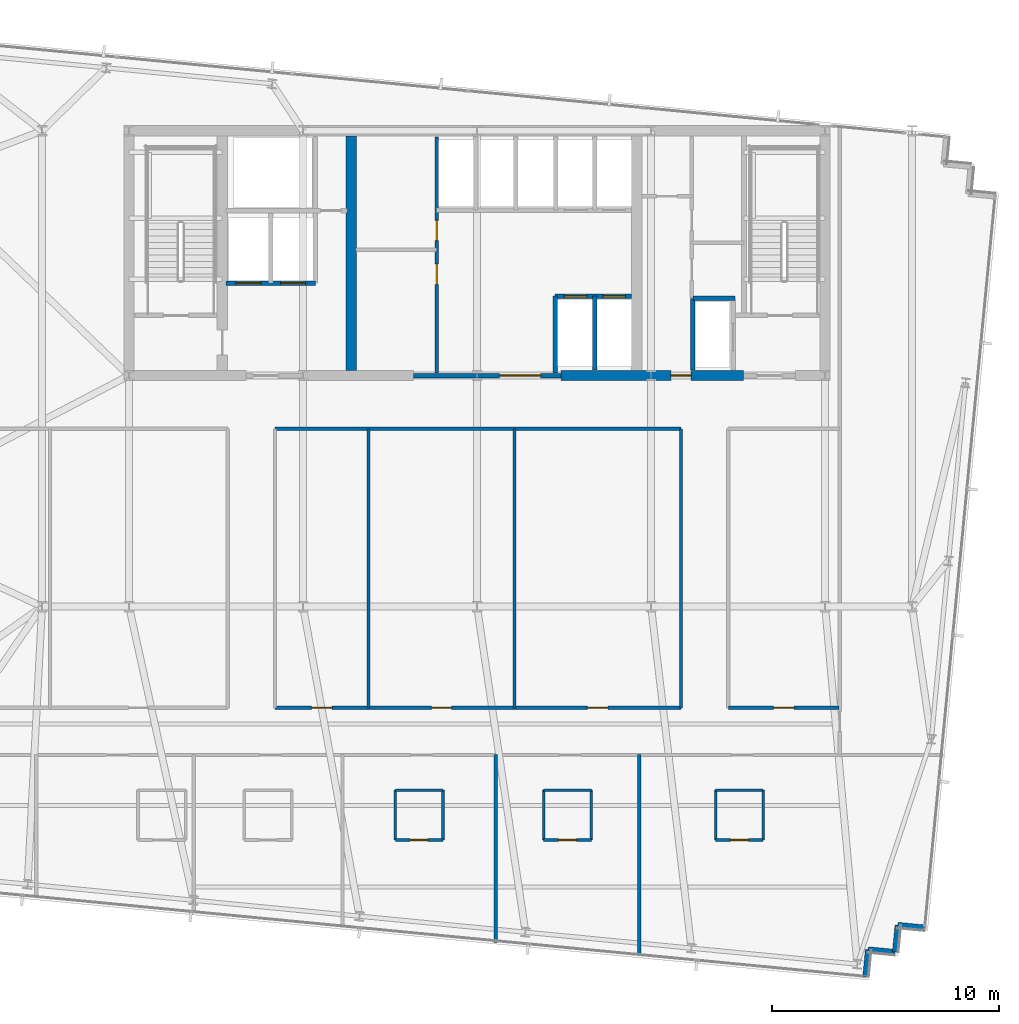
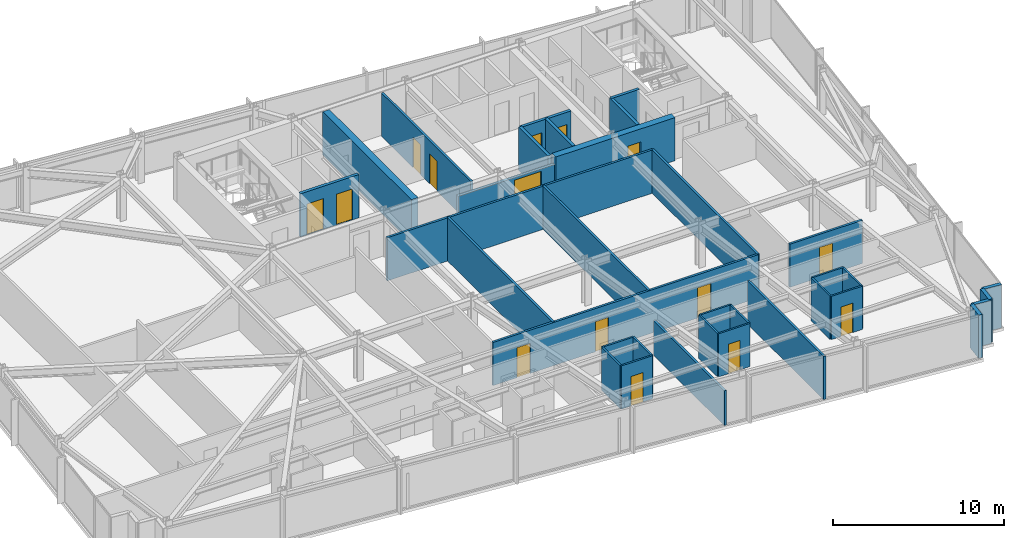
# One storey, part 30 of 36: 34 walls, 15 doors, 15 openings.
"""IFC4 building model written with IfcOpenShell, lengths in metres."""

from ifc_helpers import new_model, si_unit, direction, frame, frame_2d, origin, place, context, subcontext, project, spatial, rectangle, extrude, material, layer, layer_set, type_object, element, fill, save


model = new_model("IFC4")

# Units and contexts
model_context = context("Model", 3, precision=1e-05, world=origin(), true_north=direction((0.0, 1.0)))
body_context = subcontext(model_context, "Body", "Model", "MODEL_VIEW")
ifc_project = project(units=[si_unit("LENGTHUNIT", "METRE"), si_unit("AREAUNIT", "SQUARE_METRE"), si_unit("VOLUMEUNIT", "CUBIC_METRE"), si_unit("PLANEANGLEUNIT", "RADIAN"), si_unit("MASSUNIT", "GRAM", prefix="KILO")], contexts=[model_context])

# Site, building, storey
site_placement = place(None, origin())
site = spatial("IfcSite", under=ifc_project, at=site_placement, CompositionType="ELEMENT")
building_placement = place(site_placement, origin())
building = spatial("IfcBuilding", under=site, at=building_placement, Name="Yelkora Congress Tower", CompositionType="ELEMENT")
storey_placement = place(building_placement, frame((0.0, 0.0, 152.300048828125)))
storey = spatial("IfcBuildingStorey", under=building, at=storey_placement, Name="L41", CompositionType="ELEMENT", Elevation=152.300048828125)

# Wall, opening, door
ifc_material_1 = material(Name="Concrete C60/75", Category="concrete")
ifc_layer_1 = layer(ifc_material_1, 0.449951171875)
ifc_layer_set_1 = layer_set([ifc_layer_1], Name="Concrete C60/75")
wall_type_1 = type_object("IfcWallType", Name="WALL-CORE-INT-450", PredefinedType="SHEAR", material=ifc_layer_set_1)
wall_1_placement = place(storey_placement, frame((42.10009765625, 35.39990234375, 0.0), z_axis=(0.0, 0.0, 1.0), x_axis=(1.0, 0.0, 0.0)))
wall_1 = element("IfcWall", 1, at=wall_1_placement, inside=storey, type_object=wall_type_1, Name="L41 Rear Core South-East Shear Wall A", PredefinedType="SHEAR", context=body_context, shape_type="SweptSolid", body=[
    extrude(rectangle(XDim=8.0498046875, YDim=0.449951171875, at=frame_2d((4.02490234375, 0.0))), origin(), (0.0, 0.0, 1.0), 3.079833984375),
])
opening_1_placement = place(wall_1_placement, frame((4.85009765625, 0.0, 0.0)))
opening_1 = element("IfcOpeningElement", 2, at=opening_1_placement, cuts=wall_1, Name="Opening DR-090F6", PredefinedType="OPENING", context=body_context, shape_type="SweptSolid", body=[
    extrude(rectangle(XDim=0.89990234375, YDim=2.14990234375, at=frame_2d((0.449951171875, 1.074951171875))), frame((0.0, 0.23486328125, 0.0), z_axis=(0.0, -1.0, 0.0), x_axis=(1.0, 0.0, 0.0)), (0.0, 0.0, 1.0), 0.469970703125),
])
ifc_material_2 = material(Name="Painted steel riser fire door leaf", Category="steel")
door_type_1 = type_object("IfcDoorType", Name="DOOR-FD60-900", OperationType="NOTDEFINED", PredefinedType="DOOR", material=ifc_material_2)
door_1_placement = place(opening_1_placement, origin())
door_1 = element("IfcDoor", 3, at=door_1_placement, inside=storey, type_object=door_type_1, Name="L41 Core Washroom Lobby Door", OperationType="SINGLE_SWING_RIGHT", OverallHeight=2.14990234375, OverallWidth=0.89990234375, PredefinedType="DOOR", context=body_context, shape_type="SweptSolid", body=[
    extrude(rectangle(XDim=0.89990234375, YDim=2.14990234375, at=frame_2d((0.449951171875, 1.074951171875))), frame((0.0, 0.02490234375, 0.0), z_axis=(0.0, -1.0, 0.0), x_axis=(1.0, 0.0, 0.0)), (0.0, 0.0, 1.0), 0.050048828125),
])
fill(opening_1, door_1)

# Walls
wall_2_placement = place(storey_placement, frame((32.85009765625, 35.625, 0.0), z_axis=(0.0, 0.0, 1.0), x_axis=(0.0, 1.0, 0.0)))
element("IfcWall", 4, at=wall_2_placement, inside=storey, type_object=wall_type_1, Name="L41 Rear Core Cross Shear Wall C2", PredefinedType="SHEAR", context=body_context, shape_type="SweptSolid", body=[
    extrude(rectangle(XDim=10.35009765625, YDim=0.449951171875, at=frame_2d((5.175048828125, 0.0))), origin(), (0.0, 0.0, 1.0), 3.079833984375),
])
ifc_material_3 = material(Name="Concrete C40/50", Category="concrete")
ifc_layer_2 = layer(ifc_material_3, 0.239990234375)
ifc_layer_set_2 = layer_set([ifc_layer_2], Name="Concrete C40/50")
wall_type_2 = type_object("IfcWallType", Name="WALL-EXT-LIMESTONE-240", PredefinedType="SOLIDWALL", material=ifc_layer_set_2)
wall_3_placement = place(storey_placement, frame((58.160400390625, 11.033203125, 0.0), z_axis=(0.0, 0.0, 1.0), x_axis=(-0.995398960025, 0.095817067274, 0.0)))
element("IfcWall", 5, at=wall_3_placement, inside=storey, type_object=wall_type_2, Name="L41 Serrated Corner Limestone Pier 16", PredefinedType="SOLIDWALL", context=body_context, shape_type="SweptSolid", body=[
    extrude(rectangle(XDim=1.2001953125, YDim=0.239990234375, at=frame_2d((0.60009765625, 0.0))), origin(), (0.0, 0.0, 1.0), 3.079833984375),
])
for number, where, z_axis, x_axis, name in (
    (6, (56.9658203125, 11.148193359375, 0.0), (0.0, 0.0, 1.0), (-0.095836473879, -0.995397091755, 0.0), "L41 Serrated Corner Limestone Pier 17"),
    (7, (56.850830078125, 9.953857421875, 0.0), (0.0, 0.0, 1.0), (-0.995397091755, 0.095836473879, 0.0), "L41 Serrated Corner Limestone Pier 18"),
):
    element("IfcWall", number, at=place(storey_placement, frame(where, z_axis=z_axis, x_axis=x_axis)), inside=storey, type_object=wall_type_2, Name=name, PredefinedType="SOLIDWALL", context=body_context, shape_type="SweptSolid", body=[
        extrude(rectangle(XDim=1.199951171875, YDim=0.239990234375, at=frame_2d((0.60009765625, 0.0))), origin(), (0.0, 0.0, 1.0), 3.079833984375),
    ])
wall_4_placement = place(storey_placement, frame((55.656494140625, 10.06884765625, 0.0), z_axis=(0.0, 0.0, 1.0), x_axis=(-0.095817067274, -0.995398960025, 0.0)))
element("IfcWall", 8, at=wall_4_placement, inside=storey, type_object=wall_type_2, Name="L41 Serrated Corner Limestone Pier 19", PredefinedType="SOLIDWALL", context=body_context, shape_type="SweptSolid", body=[
    extrude(rectangle(XDim=1.2001953125, YDim=0.239990234375, at=frame_2d((0.60009765625, 0.0))), origin(), (0.0, 0.0, 1.0), 3.079833984375),
])
ifc_material_4 = material(Name="Moisture-resistant gypsum partition", Category="gypsum")
ifc_layer_3 = layer(ifc_material_4, 0.1201171875)
ifc_layer_set_3 = layer_set([ifc_layer_3], Name="Moisture-resistant gypsum partition")
wall_type_3 = type_object("IfcWallType", Name="WALL-INT-120-NR", PredefinedType="PARTITIONING", material=ifc_layer_set_3)
wall_5_placement = place(storey_placement, frame((34.7919921875, 17.10009765625, 0.0), z_axis=(0.0, 0.0, 1.0), x_axis=(1.0, 0.0, 0.0)))
element("IfcWall", 9, at=wall_5_placement, inside=storey, type_object=wall_type_3, Name="L41 Partition Wall 41", PredefinedType="PARTITIONING", context=body_context, shape_type="SweptSolid", body=[
    extrude(rectangle(XDim=2.10009765625, YDim=0.1201171875, at=frame_2d((1.050048828125, 0.0))), origin(), (0.0, 0.0, 1.0), 3.079833984375),
])
for number, where, z_axis, x_axis, name in (
    (10, (34.7919921875, 14.89990234375, 0.0), (0.0, 0.0, 1.0), (0.0, 1.0, 0.0), "L41 Partition Wall 42"),
    (11, (36.89208984375, 14.89990234375, 0.0), (0.0, 0.0, 1.0), (0.0, 1.0, 0.0), "L41 Partition Wall 43"),
):
    element("IfcWall", number, at=place(storey_placement, frame(where, z_axis=z_axis, x_axis=x_axis)), inside=storey, type_object=wall_type_3, Name=name, PredefinedType="PARTITIONING", context=body_context, shape_type="SweptSolid", body=[
        extrude(rectangle(XDim=2.2001953125, YDim=0.1201171875, at=frame_2d((1.10009765625, 0.0))), origin(), (0.0, 0.0, 1.0), 3.079833984375),
    ])

# Wall, opening, door
wall_6_placement = place(storey_placement, frame((34.7919921875, 14.89990234375, 0.0), z_axis=(0.0, 0.0, 1.0), x_axis=(1.0, 0.0, 0.0)))
wall_6 = element("IfcWall", 12, at=wall_6_placement, inside=storey, type_object=wall_type_3, Name="L41 Partition Wall 44", PredefinedType="PARTITIONING", context=body_context, shape_type="SweptSolid", body=[
    extrude(rectangle(XDim=2.10009765625, YDim=0.1201171875, at=frame_2d((1.050048828125, 0.0))), origin(), (0.0, 0.0, 1.0), 3.079833984375),
])
opening_2_placement = place(wall_6_placement, frame((0.64990234375, 0.0, 0.0)))
opening_2 = element("IfcOpeningElement", 13, at=opening_2_placement, cuts=wall_6, Name="Opening DR-080B", PredefinedType="OPENING", context=body_context, shape_type="SweptSolid", body=[
    extrude(rectangle(XDim=0.800048828125, YDim=2.10009765625, at=frame_2d((0.39990234375, 1.050048828125))), frame((0.0, 0.070068359375, 0.0), z_axis=(0.0, -1.0, 0.0), x_axis=(1.0, 0.0, 0.0)), (0.0, 0.0, 1.0), 0.14013671875),
])
ifc_material_5 = material(Name="Moisture-sealed en-suite timber door", Category="wood")
door_type_2 = type_object("IfcDoorType", Name="DOOR-BATH-800", OperationType="NOTDEFINED", PredefinedType="DOOR", material=ifc_material_5)
door_2_placement = place(opening_2_placement, origin())
door_2 = element("IfcDoor", 14, at=door_2_placement, inside=storey, type_object=door_type_2, Name="L41 En-suite Door 4", OperationType="SINGLE_SWING_RIGHT", OverallHeight=2.10009765625, OverallWidth=0.800048828125, PredefinedType="DOOR", context=body_context, shape_type="SweptSolid", body=[
    extrude(rectangle(XDim=0.800048828125, YDim=2.10009765625, at=frame_2d((0.39990234375, 1.050048828125))), frame((0.0, 0.02490234375, 0.0), z_axis=(0.0, -1.0, 0.0), x_axis=(1.0, 0.0, 0.0)), (0.0, 0.0, 1.0), 0.050048828125),
])
fill(opening_2, door_2)

# Walls
wall_7_placement = place(storey_placement, frame((41.341064453125, 17.10009765625, 0.0), z_axis=(0.0, 0.0, 1.0), x_axis=(1.0, 0.0, 0.0)))
element("IfcWall", 15, at=wall_7_placement, inside=storey, type_object=wall_type_3, Name="L41 Partition Wall 46", PredefinedType="PARTITIONING", context=body_context, shape_type="SweptSolid", body=[
    extrude(rectangle(XDim=2.099853515625, YDim=0.1201171875, at=frame_2d((1.0498046875, 0.0))), origin(), (0.0, 0.0, 1.0), 3.079833984375),
])
for number, where, z_axis, x_axis, name in (
    (16, (41.341064453125, 14.89990234375, 0.0), (0.0, 0.0, 1.0), (0.0, 1.0, 0.0), "L41 Partition Wall 47"),
    (17, (43.44091796875, 14.89990234375, 0.0), (0.0, 0.0, 1.0), (0.0, 1.0, 0.0), "L41 Partition Wall 48"),
):
    element("IfcWall", number, at=place(storey_placement, frame(where, z_axis=z_axis, x_axis=x_axis)), inside=storey, type_object=wall_type_3, Name=name, PredefinedType="PARTITIONING", context=body_context, shape_type="SweptSolid", body=[
        extrude(rectangle(XDim=2.2001953125, YDim=0.1201171875, at=frame_2d((1.10009765625, 0.0))), origin(), (0.0, 0.0, 1.0), 3.079833984375),
    ])

# Wall, opening, door
wall_8_placement = place(storey_placement, frame((41.341064453125, 14.89990234375, 0.0), z_axis=(0.0, 0.0, 1.0), x_axis=(1.0, 0.0, 0.0)))
wall_8 = element("IfcWall", 18, at=wall_8_placement, inside=storey, type_object=wall_type_3, Name="L41 Partition Wall 49", PredefinedType="PARTITIONING", context=body_context, shape_type="SweptSolid", body=[
    extrude(rectangle(XDim=2.099853515625, YDim=0.1201171875, at=frame_2d((1.0498046875, 0.0))), origin(), (0.0, 0.0, 1.0), 3.079833984375),
])
opening_3_placement = place(wall_8_placement, frame((0.64990234375, 0.0, 0.0)))
opening_3 = element("IfcOpeningElement", 19, at=opening_3_placement, cuts=wall_8, Name="Opening DR-080B", PredefinedType="OPENING", context=body_context, shape_type="SweptSolid", body=[
    extrude(rectangle(XDim=0.800048828125, YDim=2.10009765625, at=frame_2d((0.39990234375, 1.050048828125))), frame((0.0, 0.070068359375, 0.0), z_axis=(0.0, -1.0, 0.0), x_axis=(1.0, 0.0, 0.0)), (0.0, 0.0, 1.0), 0.14013671875),
])
door_3_placement = place(opening_3_placement, origin())
door_3 = element("IfcDoor", 20, at=door_3_placement, inside=storey, type_object=door_type_2, Name="L41 En-suite Door 5", OperationType="SINGLE_SWING_LEFT", OverallHeight=2.10009765625, OverallWidth=0.800048828125, PredefinedType="DOOR", context=body_context, shape_type="SweptSolid", body=[
    extrude(rectangle(XDim=0.800048828125, YDim=2.10009765625, at=frame_2d((0.39990234375, 1.050048828125))), frame((0.0, 0.02490234375, 0.0), z_axis=(0.0, -1.0, 0.0), x_axis=(1.0, 0.0, 0.0)), (0.0, 0.0, 1.0), 0.050048828125),
])
fill(opening_3, door_3)

# Walls
wall_9_placement = place(storey_placement, frame((48.929931640625, 17.10009765625, 0.0), z_axis=(0.0, 0.0, 1.0), x_axis=(1.0, 0.0, 0.0)))
element("IfcWall", 21, at=wall_9_placement, inside=storey, type_object=wall_type_3, Name="L41 Partition Wall 51", PredefinedType="PARTITIONING", context=body_context, shape_type="SweptSolid", body=[
    extrude(rectangle(XDim=2.10009765625, YDim=0.1201171875, at=frame_2d((1.050048828125, 0.0))), origin(), (0.0, 0.0, 1.0), 3.079833984375),
])
for number, where, z_axis, x_axis, name in (
    (22, (48.929931640625, 14.89990234375, 0.0), (0.0, 0.0, 1.0), (0.0, 1.0, 0.0), "L41 Partition Wall 52"),
    (23, (51.030029296875, 14.89990234375, 0.0), (0.0, 0.0, 1.0), (0.0, 1.0, 0.0), "L41 Partition Wall 53"),
):
    element("IfcWall", number, at=place(storey_placement, frame(where, z_axis=z_axis, x_axis=x_axis)), inside=storey, type_object=wall_type_3, Name=name, PredefinedType="PARTITIONING", context=body_context, shape_type="SweptSolid", body=[
        extrude(rectangle(XDim=2.2001953125, YDim=0.1201171875, at=frame_2d((1.10009765625, 0.0))), origin(), (0.0, 0.0, 1.0), 3.079833984375),
    ])

# Wall, opening, door
wall_10_placement = place(storey_placement, frame((48.929931640625, 14.89990234375, 0.0), z_axis=(0.0, 0.0, 1.0), x_axis=(1.0, 0.0, 0.0)))
wall_10 = element("IfcWall", 24, at=wall_10_placement, inside=storey, type_object=wall_type_3, Name="L41 Partition Wall 54", PredefinedType="PARTITIONING", context=body_context, shape_type="SweptSolid", body=[
    extrude(rectangle(XDim=2.10009765625, YDim=0.1201171875, at=frame_2d((1.050048828125, 0.0))), origin(), (0.0, 0.0, 1.0), 3.079833984375),
])
opening_4_placement = place(wall_10_placement, frame((0.64990234375, 0.0, 0.0)))
opening_4 = element("IfcOpeningElement", 25, at=opening_4_placement, cuts=wall_10, Name="Opening DR-080B", PredefinedType="OPENING", context=body_context, shape_type="SweptSolid", body=[
    extrude(rectangle(XDim=0.800048828125, YDim=2.10009765625, at=frame_2d((0.39990234375, 1.050048828125))), frame((0.0, 0.070068359375, 0.0), z_axis=(0.0, -1.0, 0.0), x_axis=(1.0, 0.0, 0.0)), (0.0, 0.0, 1.0), 0.14013671875),
])
door_4_placement = place(opening_4_placement, origin())
door_4 = element("IfcDoor", 26, at=door_4_placement, inside=storey, type_object=door_type_2, Name="L41 En-suite Door 6", OperationType="SINGLE_SWING_RIGHT", OverallHeight=2.10009765625, OverallWidth=0.800048828125, PredefinedType="DOOR", context=body_context, shape_type="SweptSolid", body=[
    extrude(rectangle(XDim=0.800048828125, YDim=2.10009765625, at=frame_2d((0.39990234375, 1.050048828125))), frame((0.0, 0.02490234375, 0.0), z_axis=(0.0, -1.0, 0.0), x_axis=(1.0, 0.0, 0.0)), (0.0, 0.0, 1.0), 0.050048828125),
])
fill(opening_4, door_4)

# Walls
ifc_material_6 = material(Name="Acoustic metal-stud gypsum partition", Category="gypsum")
ifc_layer_4 = layer(ifc_material_6, 0.14990234375)
ifc_layer_set_4 = layer_set([ifc_layer_4], Name="Acoustic metal-stud gypsum partition")
wall_type_4 = type_object("IfcWallType", Name="WALL-INT-150-NR", PredefinedType="PARTITIONING", material=ifc_layer_set_4)
wall_11_placement = place(storey_placement, frame((47.39990234375, 20.72998046875, 0.0), z_axis=(0.0, 0.0, 1.0), x_axis=(0.0, 1.0, 0.0)))
element("IfcWall", 27, at=wall_11_placement, inside=storey, type_object=wall_type_4, Name="L41 Partition Wall 61", PredefinedType="PARTITIONING", context=body_context, shape_type="SweptSolid", body=[
    extrude(rectangle(XDim=12.320068359375, YDim=0.14990234375, at=frame_2d((6.16015625, 0.0))), origin(), (0.0, 0.0, 1.0), 3.079833984375),
])
wall_12_placement = place(storey_placement, frame((29.47998046875, 33.050048828125, 0.0), z_axis=(0.0, 0.0, 1.0), x_axis=(1.0, 0.0, 0.0)))
element("IfcWall", 28, at=wall_12_placement, inside=storey, type_object=wall_type_4, Name="L41 Partition Wall 64", PredefinedType="PARTITIONING", context=body_context, shape_type="SweptSolid", body=[
    extrude(rectangle(XDim=17.919921875, YDim=0.14990234375, at=frame_2d((8.9599609375, 0.0))), origin(), (0.0, 0.0, 1.0), 3.079833984375),
])
for number, where, z_axis, x_axis, name in (
    (29, (33.60693359375, 20.72998046875, 0.0), (0.0, 0.0, 1.0), (0.0, 1.0, 0.0), "L41 Partition Wall 69"),
    (30, (40.051025390625, 20.72998046875, 0.0), (0.0, 0.0, 1.0), (0.0, 1.0, 0.0), "L41 Partition Wall 70"),
):
    element("IfcWall", number, at=place(storey_placement, frame(where, z_axis=z_axis, x_axis=x_axis)), inside=storey, type_object=wall_type_4, Name=name, PredefinedType="PARTITIONING", context=body_context, shape_type="SweptSolid", body=[
        extrude(rectangle(XDim=12.320068359375, YDim=0.14990234375, at=frame_2d((6.16015625, 0.0))), origin(), (0.0, 0.0, 1.0), 3.079833984375),
    ])

# Wall, openings, doors
wall_13_placement = place(storey_placement, frame((29.489990234375, 20.72998046875, 0.0), z_axis=(0.0, 0.0, 1.0), x_axis=(1.0, 0.0, 0.0)))
wall_13 = element("IfcWall", 31, at=wall_13_placement, inside=storey, type_object=wall_type_4, Name="L41 Partition Wall 71", PredefinedType="PARTITIONING", context=body_context, shape_type="SweptSolid", body=[
    extrude(rectangle(XDim=17.89990234375, YDim=0.14990234375, at=frame_2d((8.949951171875, 0.0))), origin(), (0.0, 0.0, 1.0), 3.079833984375),
])
opening_5_placement = place(wall_13_placement, frame((1.6083984375, 0.0, 0.0)))
opening_5 = element("IfcOpeningElement", 32, at=opening_5_placement, cuts=wall_13, Name="Opening DR-090N", PredefinedType="OPENING", context=body_context, shape_type="SweptSolid", body=[
    extrude(rectangle(XDim=0.89990234375, YDim=2.14990234375, at=frame_2d((0.449951171875, 1.074951171875))), frame((0.0, 0.0849609375, 0.0), z_axis=(0.0, -1.0, 0.0), x_axis=(1.0, 0.0, 0.0)), (0.0, 0.0, 1.0), 0.169921875),
])
opening_6_placement = place(wall_13_placement, frame((6.888916015625, 0.0, 0.0)))
opening_6 = element("IfcOpeningElement", 33, at=opening_6_placement, cuts=wall_13, Name="Opening DR-090N", PredefinedType="OPENING", context=body_context, shape_type="SweptSolid", body=[
    extrude(rectangle(XDim=0.89990234375, YDim=2.14990234375, at=frame_2d((0.449951171875, 1.074951171875))), frame((0.0, 0.0849609375, 0.0), z_axis=(0.0, -1.0, 0.0), x_axis=(1.0, 0.0, 0.0)), (0.0, 0.0, 1.0), 0.169921875),
])
opening_7_placement = place(wall_13_placement, frame((13.780517578125, 0.0, 0.0)))
opening_7 = element("IfcOpeningElement", 34, at=opening_7_placement, cuts=wall_13, Name="Opening DR-090N", PredefinedType="OPENING", context=body_context, shape_type="SweptSolid", body=[
    extrude(rectangle(XDim=0.89990234375, YDim=2.14990234375, at=frame_2d((0.449951171875, 1.074951171875))), frame((0.0, 0.0849609375, 0.0), z_axis=(0.0, -1.0, 0.0), x_axis=(1.0, 0.0, 0.0)), (0.0, 0.0, 1.0), 0.169921875),
])
ifc_material_7 = material(Name="Moisture-resistant laminate door leaf", Category="wood")
door_type_3 = type_object("IfcDoorType", Name="DOOR-INT-900", OperationType="NOTDEFINED", PredefinedType="DOOR", material=ifc_material_7)
door_5_placement = place(opening_5_placement, origin())
door_5 = element("IfcDoor", 35, at=door_5_placement, inside=storey, type_object=door_type_3, Name="L41 Business Concierge Office Door", OperationType="SINGLE_SWING_RIGHT", OverallHeight=2.14990234375, OverallWidth=0.89990234375, PredefinedType="DOOR", context=body_context, shape_type="SweptSolid", body=[
    extrude(rectangle(XDim=0.89990234375, YDim=2.14990234375, at=frame_2d((0.449951171875, 1.074951171875))), frame((0.0, 0.02490234375, 0.0), z_axis=(0.0, -1.0, 0.0), x_axis=(1.0, 0.0, 0.0)), (0.0, 0.0, 1.0), 0.050048828125),
])
fill(opening_5, door_5)
door_6_placement = place(opening_6_placement, origin())
door_6 = element("IfcDoor", 36, at=door_6_placement, inside=storey, type_object=door_type_3, Name="L41 Refreshment Galley Door", OperationType="SINGLE_SWING_LEFT", OverallHeight=2.14990234375, OverallWidth=0.89990234375, PredefinedType="DOOR", context=body_context, shape_type="SweptSolid", body=[
    extrude(rectangle(XDim=0.89990234375, YDim=2.14990234375, at=frame_2d((0.449951171875, 1.074951171875))), frame((0.0, 0.02490234375, 0.0), z_axis=(0.0, -1.0, 0.0), x_axis=(1.0, 0.0, 0.0)), (0.0, 0.0, 1.0), 0.050048828125),
])
fill(opening_6, door_6)
door_7_placement = place(opening_7_placement, origin())
door_7 = element("IfcDoor", 37, at=door_7_placement, inside=storey, type_object=door_type_3, Name="L41 Catering Servery Kitchen Door", OperationType="SINGLE_SWING_RIGHT", OverallHeight=2.14990234375, OverallWidth=0.89990234375, PredefinedType="DOOR", context=body_context, shape_type="SweptSolid", body=[
    extrude(rectangle(XDim=0.89990234375, YDim=2.14990234375, at=frame_2d((0.449951171875, 1.074951171875))), frame((0.0, 0.02490234375, 0.0), z_axis=(0.0, -1.0, 0.0), x_axis=(1.0, 0.0, 0.0)), (0.0, 0.0, 1.0), 0.050048828125),
])
fill(opening_7, door_7)

# Wall, opening, door
wall_14_placement = place(storey_placement, frame((49.489990234375, 20.72998046875, 0.0), z_axis=(0.0, 0.0, 1.0), x_axis=(1.0, 0.0, 0.0)))
wall_14 = element("IfcWall", 38, at=wall_14_placement, inside=storey, type_object=wall_type_4, Name="L41 Partition Wall 72", PredefinedType="PARTITIONING", context=body_context, shape_type="SweptSolid", body=[
    extrude(rectangle(XDim=4.889892578125, YDim=0.14990234375, at=frame_2d((2.44482421875, 0.0))), origin(), (0.0, 0.0, 1.0), 3.079833984375),
])
opening_8_placement = place(wall_14_placement, frame((1.9951171875, 0.0, 0.0)))
opening_8 = element("IfcOpeningElement", 39, at=opening_8_placement, cuts=wall_14, Name="Opening DR-090N", PredefinedType="OPENING", context=body_context, shape_type="SweptSolid", body=[
    extrude(rectangle(XDim=0.89990234375, YDim=2.14990234375, at=frame_2d((0.449951171875, 1.074951171875))), frame((0.0, 0.0849609375, 0.0), z_axis=(0.0, -1.0, 0.0), x_axis=(1.0, 0.0, 0.0)), (0.0, 0.0, 1.0), 0.169921875),
])
door_8_placement = place(opening_8_placement, origin())
door_8 = element("IfcDoor", 40, at=door_8_placement, inside=storey, type_object=door_type_3, Name="L41 Refreshment Galley Door", OperationType="SINGLE_SWING_LEFT", OverallHeight=2.14990234375, OverallWidth=0.89990234375, PredefinedType="DOOR", context=body_context, shape_type="SweptSolid", body=[
    extrude(rectangle(XDim=0.89990234375, YDim=2.14990234375, at=frame_2d((0.449951171875, 1.074951171875))), frame((0.0, 0.02490234375, 0.0), z_axis=(0.0, -1.0, 0.0), x_axis=(1.0, 0.0, 0.0)), (0.0, 0.0, 1.0), 0.050048828125),
])
fill(opening_8, door_8)

# Wall, openings, doors
ifc_material_8 = material(Name="Twin-stud fire-rated gypsum partition", Category="gypsum")
ifc_layer_5 = layer(ifc_material_8, 0.14990234375)
ifc_layer_set_5 = layer_set([ifc_layer_5], Name="Twin-stud fire-rated gypsum partition")
wall_type_5 = type_object("IfcWallType", Name="WALL-INT-150-R60", PredefinedType="PARTITIONING", material=ifc_layer_set_5)
wall_15_placement = place(storey_placement, frame((36.6201171875, 35.5, 0.0), z_axis=(0.0, 0.0, 1.0), x_axis=(0.0, 1.0, 0.0)))
wall_15 = element("IfcWall", 41, at=wall_15_placement, inside=storey, type_object=wall_type_5, Name="L41 Partition Wall 12", PredefinedType="PARTITIONING", context=body_context, shape_type="SweptSolid", body=[
    extrude(rectangle(XDim=10.419921875, YDim=0.14990234375, at=frame_2d((5.2099609375, 0.0))), origin(), (0.0, 0.0, 1.0), 3.079833984375),
])
opening_9_placement = place(wall_15_placement, frame((3.919921875, 0.0, 0.0)))
opening_9 = element("IfcOpeningElement", 42, at=opening_9_placement, cuts=wall_15, Name="Opening DR-090F6", PredefinedType="OPENING", context=body_context, shape_type="SweptSolid", body=[
    extrude(rectangle(XDim=0.89990234375, YDim=2.14990234375, at=frame_2d((0.449951171875, 1.074951171875))), frame((0.0, 0.0849609375, 0.0), z_axis=(0.0, -1.0, 0.0), x_axis=(1.0, 0.0, 0.0)), (0.0, 0.0, 1.0), 0.169921875),
])
opening_10_placement = place(wall_15_placement, frame((5.85009765625, 0.0, 0.0)))
opening_10 = element("IfcOpeningElement", 43, at=opening_10_placement, cuts=wall_15, Name="Opening DR-090F6", PredefinedType="OPENING", context=body_context, shape_type="SweptSolid", body=[
    extrude(rectangle(XDim=0.89990234375, YDim=2.14990234375, at=frame_2d((0.449951171875, 1.074951171875))), frame((0.0, 0.0849609375, 0.0), z_axis=(0.0, -1.0, 0.0), x_axis=(1.0, 0.0, 0.0)), (0.0, 0.0, 1.0), 0.169921875),
])
door_9_placement = place(opening_9_placement, origin())
door_9 = element("IfcDoor", 44, at=door_9_placement, inside=storey, type_object=door_type_1, Name="L41 Telecom Store Door", OperationType="SINGLE_SWING_LEFT", OverallHeight=2.14990234375, OverallWidth=0.89990234375, PredefinedType="DOOR", context=body_context, shape_type="SweptSolid", body=[
    extrude(rectangle(XDim=0.89990234375, YDim=2.14990234375, at=frame_2d((0.449951171875, 1.074951171875))), frame((0.0, 0.02490234375, 0.0), z_axis=(0.0, -1.0, 0.0), x_axis=(1.0, 0.0, 0.0)), (0.0, 0.0, 1.0), 0.050048828125),
])
fill(opening_9, door_9)
door_10_placement = place(opening_10_placement, origin())
door_10 = element("IfcDoor", 45, at=door_10_placement, inside=storey, type_object=door_type_1, Name="L41 Archive Store Door", OperationType="SINGLE_SWING_RIGHT", OverallHeight=2.14990234375, OverallWidth=0.89990234375, PredefinedType="DOOR", context=body_context, shape_type="SweptSolid", body=[
    extrude(rectangle(XDim=0.89990234375, YDim=2.14990234375, at=frame_2d((0.449951171875, 1.074951171875))), frame((0.0, 0.02490234375, 0.0), z_axis=(0.0, -1.0, 0.0), x_axis=(1.0, 0.0, 0.0)), (0.0, 0.0, 1.0), 0.050048828125),
])
fill(opening_10, door_10)

# Walls
wall_16_placement = place(storey_placement, frame((39.221923828125, 10.385498046875, 0.0), z_axis=(0.0, 0.0, 1.0), x_axis=(0.0, 1.0, 0.0)))
element("IfcWall", 46, at=wall_16_placement, inside=storey, type_object=wall_type_5, Name="L41 Partition Wall 50", PredefinedType="PARTITIONING", context=body_context, shape_type="SweptSolid", body=[
    extrude(rectangle(XDim=8.284423828125, YDim=0.14990234375, at=frame_2d((4.14208984375, 0.0))), origin(), (0.0, 0.0, 1.0), 2.474853515625),
])
wall_17_placement = place(storey_placement, frame((45.56005859375, 9.775146484375, 0.0), z_axis=(0.0, 0.0, 1.0), x_axis=(0.0, 1.0, 0.0)))
element("IfcWall", 47, at=wall_17_placement, inside=storey, type_object=wall_type_5, Name="L41 Partition Wall 55", PredefinedType="PARTITIONING", context=body_context, shape_type="SweptSolid", body=[
    extrude(rectangle(XDim=8.894775390625, YDim=0.14990234375, at=frame_2d((4.447265625, 0.0))), origin(), (0.0, 0.0, 1.0), 3.079833984375),
])

# Wall, openings, doors
ifc_material_9 = material(Name="Autoclaved aerated concrete blockwork", Category="masonry")
ifc_layer_6 = layer(ifc_material_9, 0.199951171875)
ifc_layer_set_6 = layer_set([ifc_layer_6], Name="Autoclaved aerated concrete blockwork")
wall_type_6 = type_object("IfcWallType", Name="WALL-INT-200-R120", PredefinedType="PARTITIONING", material=ifc_layer_set_6)
wall_18_placement = place(storey_placement, frame((27.320068359375, 39.47998046875, 0.0), z_axis=(0.0, 0.0, 1.0), x_axis=(1.0, 0.0, 0.0)))
wall_18 = element("IfcWall", 48, at=wall_18_placement, inside=storey, type_object=wall_type_6, Name="L41 Firefighting Lift Front Wall", PredefinedType="PARTITIONING", context=body_context, shape_type="SweptSolid", body=[
    extrude(rectangle(XDim=3.93994140625, YDim=0.199951171875, at=frame_2d((1.969970703125, 0.0))), origin(), (0.0, 0.0, 1.0), 3.079833984375),
])
opening_11_placement = place(wall_18_placement, frame((0.449951171875, 0.0, 0.0)))
opening_11 = element("IfcOpeningElement", 49, at=opening_11_placement, cuts=wall_18, Name="Opening LD-FF11", PredefinedType="OPENING", context=body_context, shape_type="SweptSolid", body=[
    extrude(rectangle(XDim=1.10009765625, YDim=2.199951171875, at=frame_2d((0.550048828125, 1.10009765625))), frame((0.0, 0.10986328125, 0.0), z_axis=(0.0, -1.0, 0.0), x_axis=(1.0, 0.0, 0.0)), (0.0, 0.0, 1.0), 0.219970703125),
])
opening_12_placement = place(wall_18_placement, frame((2.409912109375, 0.0, 0.0)))
opening_12 = element("IfcOpeningElement", 50, at=opening_12_placement, cuts=wall_18, Name="Opening LD-FF11", PredefinedType="OPENING", context=body_context, shape_type="SweptSolid", body=[
    extrude(rectangle(XDim=1.10009765625, YDim=2.199951171875, at=frame_2d((0.550048828125, 1.10009765625))), frame((0.0, 0.10986328125, 0.0), z_axis=(0.0, -1.0, 0.0), x_axis=(1.0, 0.0, 0.0)), (0.0, 0.0, 1.0), 0.219970703125),
])
ifc_material_10 = material(Name="Brushed stainless steel 316L landing door", Category="steel")
door_type_4 = type_object("IfcDoorType", Name="DOOR-LIFT-FF-1100", OperationType="DOUBLE_DOOR_SLIDING", PredefinedType="DOOR", material=ifc_material_10)
door_11_placement = place(opening_11_placement, origin())
door_11 = element("IfcDoor", 51, at=door_11_placement, inside=storey, type_object=door_type_4, Name="Lift Landing Door LF-FF1 L41", OperationType="DOUBLE_DOOR_SLIDING", OverallHeight=2.199951171875, OverallWidth=1.10009765625, PredefinedType="DOOR", context=body_context, shape_type="SweptSolid", body=[
    extrude(rectangle(XDim=1.10009765625, YDim=2.199951171875, at=frame_2d((0.550048828125, 1.10009765625))), frame((0.0, 0.02490234375, 0.0), z_axis=(0.0, -1.0, 0.0), x_axis=(1.0, 0.0, 0.0)), (0.0, 0.0, 1.0), 0.050048828125),
])
fill(opening_11, door_11)
door_12_placement = place(opening_12_placement, origin())
door_12 = element("IfcDoor", 52, at=door_12_placement, inside=storey, type_object=door_type_4, Name="Lift Landing Door LF-FF2 L41", OperationType="DOUBLE_DOOR_SLIDING", OverallHeight=2.199951171875, OverallWidth=1.10009765625, PredefinedType="DOOR", context=body_context, shape_type="SweptSolid", body=[
    extrude(rectangle(XDim=1.10009765625, YDim=2.199951171875, at=frame_2d((0.550048828125, 1.10009765625))), frame((0.0, 0.02490234375, 0.0), z_axis=(0.0, -1.0, 0.0), x_axis=(1.0, 0.0, 0.0)), (0.0, 0.0, 1.0), 0.050048828125),
])
fill(opening_12, door_12)

# Wall, opening, door
wall_19_placement = place(storey_placement, frame((35.60009765625, 35.39990234375, 0.0), z_axis=(0.0, 0.0, 1.0), x_axis=(1.0, 0.0, 0.0)))
wall_19 = element("IfcWall", 53, at=wall_19_placement, inside=storey, type_object=wall_type_6, Name="L41 Main Lift Lobby South Portal Wall", PredefinedType="PARTITIONING", context=body_context, shape_type="SweptSolid", body=[
    extrude(rectangle(XDim=6.5, YDim=0.199951171875, at=frame_2d((3.25, 0.0))), origin(), (0.0, 0.0, 1.0), 2.474853515625),
])
opening_13_placement = place(wall_19_placement, frame((3.800048828125, 0.0, 0.0)))
opening_13 = element("IfcOpeningElement", 54, at=opening_13_placement, cuts=wall_19, Name="Opening DR-180D", PredefinedType="OPENING", context=body_context, shape_type="SweptSolid", body=[
    extrude(rectangle(XDim=1.800048828125, YDim=2.300048828125, at=frame_2d((0.89990234375, 1.14990234375))), frame((0.0, 0.10986328125, 0.0), z_axis=(0.0, -1.0, 0.0), x_axis=(1.0, 0.0, 0.0)), (0.0, 0.0, 1.0), 0.219970703125),
])
ifc_material_11 = material(Name="Acoustic double congress hall doors", Category="wood")
door_type_5 = type_object("IfcDoorType", Name="DOOR-DBL-1800", OperationType="DOUBLE_DOOR_SINGLE_SWING", PredefinedType="DOOR", material=ifc_material_11)
door_13_placement = place(opening_13_placement, origin())
door_13 = element("IfcDoor", 55, at=door_13_placement, inside=storey, type_object=door_type_5, Name="L41 Main Lift Lobby Portal Door", OperationType="DOUBLE_DOOR_SINGLE_SWING", OverallHeight=2.300048828125, OverallWidth=1.800048828125, PredefinedType="DOOR", context=body_context, shape_type="SweptSolid", body=[
    extrude(rectangle(XDim=1.800048828125, YDim=2.300048828125, at=frame_2d((0.89990234375, 1.14990234375))), frame((0.0, 0.02490234375, 0.0), z_axis=(0.0, -1.0, 0.0), x_axis=(1.0, 0.0, 0.0)), (0.0, 0.0, 1.0), 0.050048828125),
])
fill(opening_13, door_13)

# Wall, openings, doors
wall_20_placement = place(storey_placement, frame((41.85009765625, 38.89990234375, 0.0), z_axis=(0.0, 0.0, 1.0), x_axis=(1.0, 0.0, 0.0)))
wall_20 = element("IfcWall", 56, at=wall_20_placement, inside=storey, type_object=wall_type_6, Name="L41 Partition Wall 13", PredefinedType="PARTITIONING", context=body_context, shape_type="SweptSolid", body=[
    extrude(rectangle(XDim=3.369873046875, YDim=0.199951171875, at=frame_2d((1.68505859375, 0.0))), origin(), (0.0, 0.0, 1.0), 3.079833984375),
])
opening_14_placement = place(wall_20_placement, frame((0.39990234375, 0.0, 0.0)))
opening_14 = element("IfcOpeningElement", 57, at=opening_14_placement, cuts=wall_20, Name="Opening LD-PS10", PredefinedType="OPENING", context=body_context, shape_type="SweptSolid", body=[
    extrude(rectangle(XDim=1.0, YDim=2.199951171875, at=frame_2d((0.5, 1.10009765625))), frame((0.0, 0.10986328125, 0.0), z_axis=(0.0, -1.0, 0.0), x_axis=(1.0, 0.0, 0.0)), (0.0, 0.0, 1.0), 0.219970703125),
])
opening_15_placement = place(wall_20_placement, frame((2.10009765625, 0.0, 0.0)))
opening_15 = element("IfcOpeningElement", 58, at=opening_15_placement, cuts=wall_20, Name="Opening LD-PS10", PredefinedType="OPENING", context=body_context, shape_type="SweptSolid", body=[
    extrude(rectangle(XDim=1.0, YDim=2.199951171875, at=frame_2d((0.5, 1.10009765625))), frame((0.0, 0.10986328125, 0.0), z_axis=(0.0, -1.0, 0.0), x_axis=(1.0, 0.0, 0.0)), (0.0, 0.0, 1.0), 0.219970703125),
])
ifc_material_12 = material(Name="Champagne stainless steel landing door", Category="steel")
door_type_6 = type_object("IfcDoorType", Name="DOOR-LIFT-PAS-1000", OperationType="DOUBLE_DOOR_SLIDING", PredefinedType="DOOR", material=ifc_material_12)
door_14_placement = place(opening_14_placement, origin())
door_14 = element("IfcDoor", 59, at=door_14_placement, inside=storey, type_object=door_type_6, Name="Lift Landing Door LF-P5 L41", OperationType="DOUBLE_DOOR_SLIDING", OverallHeight=2.199951171875, OverallWidth=1.0, PredefinedType="DOOR", context=body_context, shape_type="SweptSolid", body=[
    extrude(rectangle(XDim=1.0, YDim=2.199951171875, at=frame_2d((0.5, 1.10009765625))), frame((0.0, 0.02490234375, 0.0), z_axis=(0.0, -1.0, 0.0), x_axis=(1.0, 0.0, 0.0)), (0.0, 0.0, 1.0), 0.050048828125),
])
fill(opening_14, door_14)
door_15_placement = place(opening_15_placement, origin())
door_15 = element("IfcDoor", 60, at=door_15_placement, inside=storey, type_object=door_type_6, Name="Lift Landing Door LF-P6 L41", OperationType="DOUBLE_DOOR_SLIDING", OverallHeight=2.199951171875, OverallWidth=1.0, PredefinedType="DOOR", context=body_context, shape_type="SweptSolid", body=[
    extrude(rectangle(XDim=1.0, YDim=2.199951171875, at=frame_2d((0.5, 1.10009765625))), frame((0.0, 0.02490234375, 0.0), z_axis=(0.0, -1.0, 0.0), x_axis=(1.0, 0.0, 0.0)), (0.0, 0.0, 1.0), 0.050048828125),
])
fill(opening_15, door_15)

# Walls
wall_21_placement = place(storey_placement, frame((43.60009765625, 35.64990234375, 0.0), z_axis=(0.0, 0.0, 1.0), x_axis=(0.0, 1.0, 0.0)))
element("IfcWall", 61, at=wall_21_placement, inside=storey, type_object=wall_type_6, Name="L41 Partition Wall 15", PredefinedType="PARTITIONING", context=body_context, shape_type="SweptSolid", body=[
    extrude(rectangle(XDim=3.25, YDim=0.199951171875, at=frame_2d((1.625, 0.0))), origin(), (0.0, 0.0, 1.0), 3.079833984375),
])
wall_22_placement = place(storey_placement, frame((41.85009765625, 35.5, 0.0), z_axis=(0.0, 0.0, 1.0), x_axis=(0.0, 1.0, 0.0)))
element("IfcWall", 62, at=wall_22_placement, inside=storey, type_object=wall_type_6, Name="L41 Partition Wall 17", PredefinedType="PARTITIONING", context=body_context, shape_type="SweptSolid", body=[
    extrude(rectangle(XDim=3.39990234375, YDim=0.199951171875, at=frame_2d((1.699951171875, 0.0))), origin(), (0.0, 0.0, 1.0), 3.079833984375),
])
wall_23_placement = place(storey_placement, frame((47.919921875, 35.64990234375, 0.0), z_axis=(0.0, 0.0, 1.0), x_axis=(0.0, 1.0, 0.0)))
element("IfcWall", 63, at=wall_23_placement, inside=storey, type_object=wall_type_6, Name="L41 Partition Wall 22", PredefinedType="PARTITIONING", context=body_context, shape_type="SweptSolid", body=[
    extrude(rectangle(XDim=3.150146484375, YDim=0.199951171875, at=frame_2d((1.5751953125, 0.0))), origin(), (0.0, 0.0, 1.0), 3.079833984375),
])
wall_24_placement = place(storey_placement, frame((47.919921875, 38.800048828125, 0.0), z_axis=(0.0, 0.0, 1.0), x_axis=(1.0, 0.0, 0.0)))
element("IfcWall", 64, at=wall_24_placement, inside=storey, type_object=wall_type_6, Name="L41 Partition Wall 23", PredefinedType="PARTITIONING", context=body_context, shape_type="SweptSolid", body=[
    extrude(rectangle(XDim=1.860107421875, YDim=0.199951171875, at=frame_2d((0.93017578125, 0.0))), origin(), (0.0, 0.0, 1.0), 3.079833984375),
])

save(model, "model.ifc")
